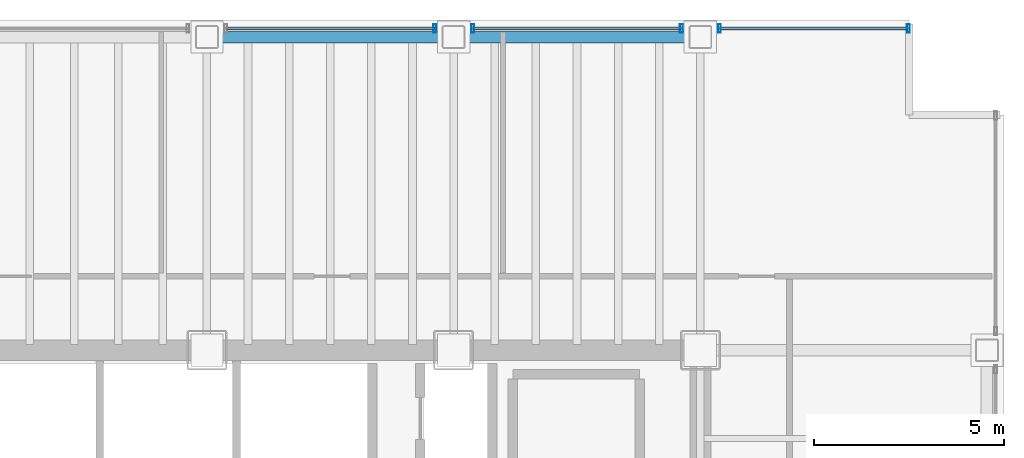
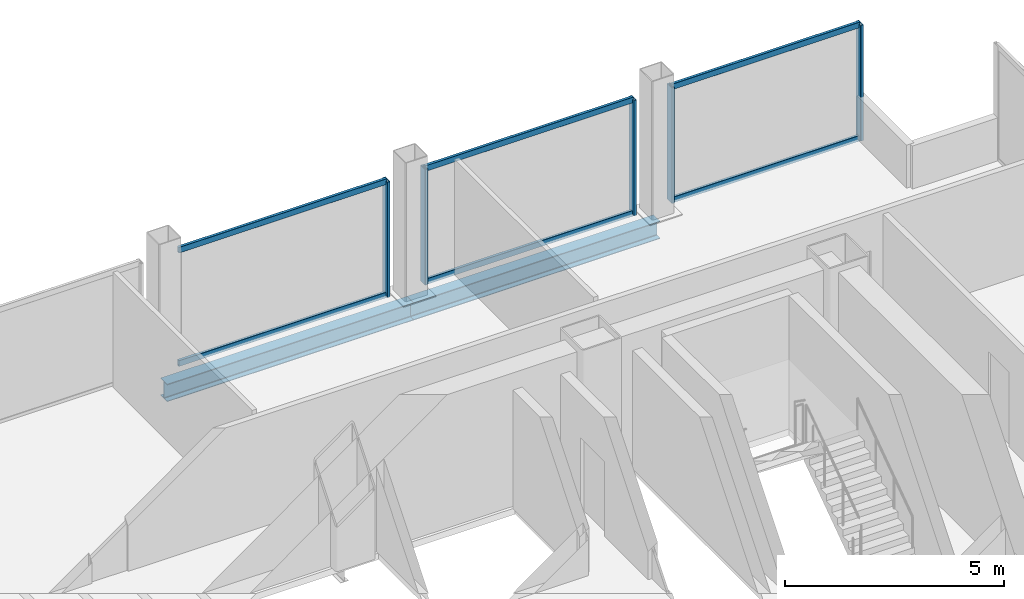
# One storey, part 16 of 21: 11 members, 2 beams, 3 elements without a shape of their own.
"""IFC4 building model written with IfcOpenShell, lengths in metres."""

import ifcopenshell
import ifcopenshell.guid

model = None  # the IFC model being written
_history = None  # IfcOwnerHistory: only IFC2X3 demands one
_inside = {}  # id of a spatial element -> (the spatial element, [elements in it])
_under = {}  # id of a project, library or spatial element -> (it, [spatial elements below it])
_declared = {}  # id of a project -> (the project, [libraries it declares])
_typed = {}  # id of a type object -> (the type object, [elements of that type])
_made_of = {}  # id of a material, layer set ... -> (it, [elements and type objects made of it])


def new_model(schema):
    """Start an empty IFC model of exactly this schema.

    Asked for "IFC4X3", IfcOpenShell would pick the latest addendum, in which some entities
    have other attributes; the version numbers below select the first issue.
    IFC2X3 requires an IfcOwnerHistory on every rooted entity: one is made here for all.
    """
    global model, _history
    if schema == "IFC4X3":
        model = ifcopenshell.file(schema_version=(4, 3, 0, 0))
    else:
        model = ifcopenshell.file(schema=schema)
    _inside.clear()
    _under.clear()
    _declared.clear()
    _typed.clear()
    _made_of.clear()
    _history = None
    if model.schema == "IFC2X3":
        org = make("IfcOrganization", Name="unknown")
        user = make(
            "IfcPersonAndOrganization",
            ThePerson=make("IfcPerson", FamilyName="unknown"),
            TheOrganization=org,
        )
        app = make(
            "IfcApplication",
            ApplicationDeveloper=org,
            Version="unknown",
            ApplicationFullName="unknown",
            ApplicationIdentifier="unknown",
        )
        _history = make(
            "IfcOwnerHistory",
            OwningUser=user,
            OwningApplication=app,
            ChangeAction="ADDED",
            CreationDate=0,
        )
    return model


def make(cls, **values):
    """One entity of the class cls with the attributes given. An attribute that is None is left unset."""
    return model.create_entity(
        cls, **{name: value for name, value in values.items() if value is not None}
    )


def rooted(cls, **values):
    """An entity with a GlobalId (a new one), such as an element, a storey or a relation."""
    return make(cls, GlobalId=ifcopenshell.guid.new(), OwnerHistory=_history, **values)


def si_unit(unit_type, name, prefix=None):
    """IfcSIUnit, for example si_unit("LENGTHUNIT", "METRE", prefix="MILLI")."""
    return make("IfcSIUnit", UnitType=unit_type, Prefix=prefix, Name=name)


def assignment(units):
    """IfcUnitAssignment: the units of a project."""
    return None if units is None else make("IfcUnitAssignment", Units=units)


def point(xyz):
    """IfcCartesianPoint."""
    return None if xyz is None else make("IfcCartesianPoint", Coordinates=xyz)


def direction(xyz):
    """IfcDirection."""
    return None if xyz is None else make("IfcDirection", DirectionRatios=xyz)


def frame(location, z_axis=None, x_axis=None):
    """IfcAxis2Placement3D, a coordinate frame: its origin and axes. An axis left out is left unset."""
    return make(
        "IfcAxis2Placement3D",
        Location=point(location),
        Axis=direction(z_axis),
        RefDirection=direction(x_axis),
    )


def frame_2d(location, x_axis=None):
    """IfcAxis2Placement2D, a coordinate frame in the plane: its origin and x axis."""
    return make(
        "IfcAxis2Placement2D", Location=point(location), RefDirection=direction(x_axis)
    )


def origin():
    """The frame at (0, 0, 0) with its axes left unset."""
    return frame((0.0, 0.0, 0.0))


def origin_2d():
    """The frame at (0, 0) in the plane with its x axis left unset."""
    return frame_2d((0.0, 0.0))


def place(relative_to, where):
    """IfcLocalPlacement: puts the frame where relative to a parent placement (None: the world)."""
    return make(
        "IfcLocalPlacement", PlacementRelTo=relative_to, RelativePlacement=where
    )


def context(
    kind, dimensions, precision=None, world=None, true_north=None, identifier=None
):
    """IfcGeometricRepresentationContext, for example the 3D "Model" context."""
    return make(
        "IfcGeometricRepresentationContext",
        ContextIdentifier=identifier,
        ContextType=kind,
        CoordinateSpaceDimension=dimensions,
        Precision=precision,
        WorldCoordinateSystem=world,
        TrueNorth=true_north,
    )


def subcontext(parent, identifier, kind, view, scale=None):
    """IfcGeometricRepresentationSubContext, for example "Body" below "Model"."""
    return make(
        "IfcGeometricRepresentationSubContext",
        ContextIdentifier=identifier,
        ContextType=kind,
        ParentContext=parent,
        TargetScale=scale,
        TargetView=view,
    )


def project(units=None, contexts=None):
    """IfcProject with its units and contexts."""
    return rooted(
        "IfcProject",
        Name="project",
        RepresentationContexts=contexts,
        UnitsInContext=assignment(units),
    )


def spatial(cls, under=None, at=None, **own):
    """A site, building, storey or space (cls), placed at a placement, below another one or the project."""
    s = rooted(cls, ObjectPlacement=at, **own)
    if under is not None:
        _under.setdefault(under.id(), (under, []))[1].append(s)
    return s


def profile(cls, at=None, kind="AREA", **sizes):
    """A parametric profile (cls). Its sizes go by their IFC names, for example OverallWidth=200.0."""
    return make(cls, ProfileType=kind, Position=at, **sizes)


def hollow_rectangle(**sizes):
    """IfcRectangleHollowProfileDef."""
    return profile("IfcRectangleHollowProfileDef", **sizes)


def i_section(**sizes):
    """IfcIShapeProfileDef."""
    return profile("IfcIShapeProfileDef", **sizes)


def extrude(swept, where, along, depth):
    """IfcExtrudedAreaSolid: the profile swept, set in the frame where, extruded along a direction by depth."""
    return make(
        "IfcExtrudedAreaSolid",
        SweptArea=swept,
        Position=where,
        ExtrudedDirection=direction(along),
        Depth=depth,
    )


def shape(context_of_items, identifier, shape_type, items):
    """IfcShapeRepresentation: the items that make up one representation, for example the "Body"."""
    return make(
        "IfcShapeRepresentation",
        ContextOfItems=context_of_items,
        RepresentationIdentifier=identifier,
        RepresentationType=shape_type,
        Items=items,
    )


def material(Name=None, Category=None):
    """IfcMaterial."""
    return make("IfcMaterial", Name=Name, Category=Category)


def material_profile(
    of_material, cross_section, Name=None, Category=None, Priority=None
):
    """IfcMaterialProfile: a cross section and its material."""
    return make(
        "IfcMaterialProfile",
        Name=Name,
        Material=of_material,
        Profile=cross_section,
        Priority=Priority,
        Category=Category,
    )


def profile_set(profiles, Name=None, composite=None):
    """IfcMaterialProfileSet."""
    return make(
        "IfcMaterialProfileSet",
        Name=Name,
        MaterialProfiles=profiles,
        CompositeProfile=composite,
    )


def made_of(thing, what):
    """Note that an element or type object is made of a material, layer set ...; save() writes the relation."""
    if what is not None:
        _made_of.setdefault(what.id(), (what, []))[1].append(thing)
    return thing


def type_object(cls, material=None, **own):
    """A type object (cls), such as IfcWallType, which elements share."""
    return made_of(rooted(cls, **own), material)


def element(
    cls,
    number,
    at=None,
    inside=None,
    cuts=None,
    type_object=None,
    material=None,
    context=None,
    identifier="Body",
    shape_type=None,
    held_by="IfcProductDefinitionShape",
    body=None,
    shapes=None,
    **own,
):
    """One element of the class cls, such as IfcWall. Its Tag is "e" and its number.

    at: its placement. inside: the storey or other place that contains it. cuts: it is an
    opening in that element (IfcRelVoidsElement). A single representation is given by context,
    identifier, shape_type and body (its items); several are given by shapes. held_by: the class
    of the entity that holds the representations. save() writes the other relations.
    """
    e = rooted(cls, Tag="e%d" % number, ObjectPlacement=at, **own)
    if body is not None:
        shapes = [shape(context, identifier, shape_type, body)]
    if shapes is not None:
        e.Representation = make(held_by, Representations=shapes)
    if inside is not None:
        _inside.setdefault(inside.id(), (inside, []))[1].append(e)
    if cuts is not None:
        rooted(
            "IfcRelVoidsElement", RelatingBuildingElement=cuts, RelatedOpeningElement=e
        )
    if type_object is not None:
        _typed.setdefault(type_object.id(), (type_object, []))[1].append(e)
    return made_of(e, material)


def aggregate(whole, parts):
    """IfcRelAggregates: a whole, such as a stair, and the parts it consists of."""
    return rooted("IfcRelAggregates", RelatingObject=whole, RelatedObjects=parts)


def save(model, path):
    """Write the relations noted so far, then the file.

    IfcRelAggregates (storeys below a building ...), IfcRelContainedInSpatialStructure (elements
    in a storey), IfcRelDefinesByType, IfcRelAssociatesMaterial and IfcRelDeclares: one each for
    every whole, place, type object, material and project.
    """
    for whole, parts in _under.values():
        aggregate(whole, parts)
    for where, things in _inside.values():
        rooted(
            "IfcRelContainedInSpatialStructure",
            RelatedElements=things,
            RelatingStructure=where,
        )
    for kind, things in _typed.values():
        rooted("IfcRelDefinesByType", RelatedObjects=things, RelatingType=kind)
    for what, things in _made_of.values():
        rooted("IfcRelAssociatesMaterial", RelatedObjects=things, RelatingMaterial=what)
    for by, libraries in _declared.values():
        rooted("IfcRelDeclares", RelatingContext=by, RelatedDefinitions=libraries)
    model.write(path)


model = new_model("IFC4")

# Units and contexts
model_context = context("Model", 3, precision=1e-05, world=origin(), true_north=direction((0.0, 1.0)))
body_context = subcontext(model_context, "Body", "Model", "MODEL_VIEW")
ifc_project = project(units=[si_unit("LENGTHUNIT", "METRE"), si_unit("AREAUNIT", "SQUARE_METRE"), si_unit("VOLUMEUNIT", "CUBIC_METRE"), si_unit("PLANEANGLEUNIT", "RADIAN"), si_unit("MASSUNIT", "GRAM", prefix="KILO")], contexts=[model_context])

# Site, building, storey
site_placement = place(None, origin())
site = spatial("IfcSite", under=ifc_project, at=site_placement, CompositionType="ELEMENT")
building_placement = place(site_placement, origin())
building = spatial("IfcBuilding", under=site, at=building_placement, Name="Noeulbin Bourse Tower", CompositionType="ELEMENT")
storey_placement = place(building_placement, frame((0.0, 0.0, 34.300048828125)))
storey = spatial("IfcBuildingStorey", under=building, at=storey_placement, Name="L08", CompositionType="ELEMENT", Elevation=34.300048828125)

# Beams
ifc_material_1 = material(Name="Steel S355", Category="steel")
ifc_material_profile_1 = material_profile(ifc_material_1, i_section(OverallWidth=0.300048828125, OverallDepth=0.488037109375, WebThickness=0.010986328125, FlangeThickness=0.01806640625, FilletRadius=0.02197265625, at=origin_2d()), Name="H-488x300x11x18", Category="LoadBearing")
ifc_profile_set_1 = profile_set([ifc_material_profile_1], Name="Steel S355")
beam_type = type_object("IfcBeamType", Name="BM-SPN-488", PredefinedType="SPANDREL", material=ifc_profile_set_1)
for number, where, z_axis, x_axis, name in (
    (1, (31.0, 46.550048828125, -0.424072265625), (1.0, 0.0, 0.0), (0.0, 1.0, 0.0), "North Spandrel L08-3"),
    (2, (37.5, 46.550048828125, -0.424072265625), (1.0, 0.0, 0.0), (0.0, 1.0, 0.0), "North Spandrel L08-4"),
):
    element("IfcBeam", number, at=place(storey_placement, frame(where, z_axis=z_axis, x_axis=x_axis)), inside=storey, type_object=beam_type, Name=name, PredefinedType="SPANDREL", context=body_context, shape_type="SweptSolid", body=[
        extrude(i_section(OverallWidth=0.300048828125, OverallDepth=0.488037109375, WebThickness=0.010986328125, FlangeThickness=0.01806640625, FilletRadius=0.02197265625, at=origin_2d()), origin(), (0.0, 0.0, 1.0), 6.5),
    ])

# Curtain wall, member
ifc_material_2 = material(Name="Dark Solar-Control Double Glazing", Category="glass")
curtain_wall_type = type_object("IfcCurtainWallType", Name="CW-SYS-2", PredefinedType="NOTDEFINED", material=ifc_material_2)
curtain_wall_1_placement = place(storey_placement, origin())
curtain_wall_1 = element("IfcCurtainWall", 3, at=curtain_wall_1_placement, inside=storey, type_object=curtain_wall_type, Name="Unitised Curtain Wall CW-L08-N-S4", PredefinedType="NOTDEFINED")
ifc_material_3 = material(Name="Anodised Aluminium 6063-T6", Category="aluminium")
ifc_material_profile_2 = material_profile(ifc_material_3, hollow_rectangle(XDim=0.074951171875, YDim=0.219970703125, WallThickness=0.0048828125, InnerFilletRadius=0.00244140625, OuterFilletRadius=0.0048828125, at=origin_2d()), Name="ALU-MULL-75x220x5", Category="LoadBearing")
ifc_profile_set_2 = profile_set([ifc_material_profile_2], Name="Anodised Aluminium 6063-T6")
member_type_1 = type_object("IfcMemberType", Name="CW-SYS-2-MUL", PredefinedType="MULLION", material=ifc_profile_set_2)
member_1_placement = place(storey_placement, frame((37.0, 46.780029296875, -0.02001953125), z_axis=(0.0, 0.0, 1.0), x_axis=(1.0, 0.0, 0.0)))
member_1 = element("IfcMember", 4, at=member_1_placement, type_object=member_type_1, Name="Curtain Wall Mullion CW-L08-N-S4-M01", PredefinedType="MULLION", context=body_context, shape_type="SweptSolid", body=[
    extrude(hollow_rectangle(XDim=0.074951171875, YDim=0.219970703125, WallThickness=0.0048828125, InnerFilletRadius=0.00244140625, OuterFilletRadius=0.0048828125, at=origin_2d()), origin(), (0.0, 0.0, 1.0), 3.219970703125),
])

# Curtain wall, members
curtain_wall_2_placement = place(storey_placement, origin())
curtain_wall_2 = element("IfcCurtainWall", 5, at=curtain_wall_2_placement, inside=storey, type_object=curtain_wall_type, Name="Unitised Curtain Wall CW-L08-N-S5", PredefinedType="NOTDEFINED")
member_2_placement = place(storey_placement, frame((38.0, 46.780029296875, -0.02001953125), z_axis=(0.0, 0.0, 1.0), x_axis=(1.0, 0.0, 0.0)))
member_2 = element("IfcMember", 6, at=member_2_placement, type_object=member_type_1, Name="Curtain Wall Mullion CW-L08-N-S5-M00", PredefinedType="MULLION", context=body_context, shape_type="SweptSolid", body=[
    extrude(hollow_rectangle(XDim=0.074951171875, YDim=0.219970703125, WallThickness=0.0048828125, InnerFilletRadius=0.00244140625, OuterFilletRadius=0.0048828125, at=origin_2d()), origin(), (0.0, 0.0, 1.0), 3.219970703125),
])
member_3_placement = place(storey_placement, frame((43.5, 46.780029296875, -0.02001953125), z_axis=(0.0, 0.0, 1.0), x_axis=(1.0, 0.0, 0.0)))
member_3 = element("IfcMember", 7, at=member_3_placement, type_object=member_type_1, Name="Curtain Wall Mullion CW-L08-N-S5-M01", PredefinedType="MULLION", context=body_context, shape_type="SweptSolid", body=[
    extrude(hollow_rectangle(XDim=0.074951171875, YDim=0.219970703125, WallThickness=0.0048828125, InnerFilletRadius=0.00244140625, OuterFilletRadius=0.0048828125, at=origin_2d()), origin(), (0.0, 0.0, 1.0), 3.219970703125),
])

curtain_wall_3_placement = place(storey_placement, origin())
curtain_wall_3 = element("IfcCurtainWall", 8, at=curtain_wall_3_placement, inside=storey, type_object=curtain_wall_type, Name="Unitised Curtain Wall CW-L08-N-S6", PredefinedType="NOTDEFINED")
member_4_placement = place(storey_placement, frame((44.5, 46.780029296875, -0.02001953125), z_axis=(0.0, 0.0, 1.0), x_axis=(1.0, 0.0, 0.0)))
member_4 = element("IfcMember", 9, at=member_4_placement, type_object=member_type_1, Name="Curtain Wall Mullion CW-L08-N-S6-M00", PredefinedType="MULLION", context=body_context, shape_type="SweptSolid", body=[
    extrude(hollow_rectangle(XDim=0.074951171875, YDim=0.219970703125, WallThickness=0.0048828125, InnerFilletRadius=0.00244140625, OuterFilletRadius=0.0048828125, at=origin_2d()), origin(), (0.0, 0.0, 1.0), 3.219970703125),
])
member_5_placement = place(storey_placement, frame((49.47998046875, 46.780029296875, -0.02001953125), z_axis=(0.0, 0.0, 1.0), x_axis=(1.0, 0.0, 0.0)))
member_5 = element("IfcMember", 10, at=member_5_placement, type_object=member_type_1, Name="Curtain Wall Mullion CW-L08-N-S6-M01", PredefinedType="MULLION", context=body_context, shape_type="SweptSolid", body=[
    extrude(hollow_rectangle(XDim=0.074951171875, YDim=0.219970703125, WallThickness=0.0048828125, InnerFilletRadius=0.00244140625, OuterFilletRadius=0.0048828125, at=origin_2d()), origin(), (0.0, 0.0, 1.0), 3.219970703125),
])

# Member
ifc_material_profile_3 = material_profile(ifc_material_3, hollow_rectangle(XDim=0.074951171875, YDim=0.159912109375, WallThickness=0.0048828125, InnerFilletRadius=0.00244140625, OuterFilletRadius=0.0048828125, at=origin_2d()), Name="ALU-TRAN-75x160x5", Category="LoadBearing")
ifc_profile_set_3 = profile_set([ifc_material_profile_3], Name="Anodised Aluminium 6063-T6")
member_type_2 = type_object("IfcMemberType", Name="CW-SYS-2-TRN", PredefinedType="USERDEFINED", material=ifc_profile_set_3)
member_6_placement = place(storey_placement, frame((31.510009765625, 46.780029296875, 0.010009765625), z_axis=(1.0, 0.0, 0.0), x_axis=(0.0, 1.0, 0.0)))
member_6 = element("IfcMember", 11, at=member_6_placement, type_object=member_type_2, Name="Curtain Wall Transom CW-L08-N-S4-T00", ObjectType="TRANSOM", PredefinedType="USERDEFINED", context=body_context, shape_type="SweptSolid", body=[
    extrude(hollow_rectangle(XDim=0.074951171875, YDim=0.159912109375, WallThickness=0.0048828125, InnerFilletRadius=0.00244140625, OuterFilletRadius=0.0048828125, at=origin_2d()), origin(), (0.0, 0.0, 1.0), 5.47998046875),
])

member_7_placement = place(storey_placement, frame((31.510009765625, 46.780029296875, 3.169921875), z_axis=(1.0, 0.0, 0.0), x_axis=(0.0, 1.0, 0.0)))
member_7 = element("IfcMember", 12, at=member_7_placement, type_object=member_type_2, Name="Curtain Wall Transom CW-L08-N-S4-T01", ObjectType="TRANSOM", PredefinedType="USERDEFINED", context=body_context, shape_type="SweptSolid", body=[
    extrude(hollow_rectangle(XDim=0.074951171875, YDim=0.159912109375, WallThickness=0.0048828125, InnerFilletRadius=0.00244140625, OuterFilletRadius=0.0048828125, at=origin_2d()), origin(), (0.0, 0.0, 1.0), 5.47998046875),
])

aggregate(curtain_wall_1, [member_1, member_6, member_7])

member_8_placement = place(storey_placement, frame((38.010009765625, 46.780029296875, 0.010009765625), z_axis=(1.0, 0.0, 0.0), x_axis=(0.0, 1.0, 0.0)))
member_8 = element("IfcMember", 13, at=member_8_placement, type_object=member_type_2, Name="Curtain Wall Transom CW-L08-N-S5-T00", ObjectType="TRANSOM", PredefinedType="USERDEFINED", context=body_context, shape_type="SweptSolid", body=[
    extrude(hollow_rectangle(XDim=0.074951171875, YDim=0.159912109375, WallThickness=0.0048828125, InnerFilletRadius=0.00244140625, OuterFilletRadius=0.0048828125, at=origin_2d()), origin(), (0.0, 0.0, 1.0), 5.47998046875),
])

member_9_placement = place(storey_placement, frame((38.010009765625, 46.780029296875, 3.169921875), z_axis=(1.0, 0.0, 0.0), x_axis=(0.0, 1.0, 0.0)))
member_9 = element("IfcMember", 14, at=member_9_placement, type_object=member_type_2, Name="Curtain Wall Transom CW-L08-N-S5-T01", ObjectType="TRANSOM", PredefinedType="USERDEFINED", context=body_context, shape_type="SweptSolid", body=[
    extrude(hollow_rectangle(XDim=0.074951171875, YDim=0.159912109375, WallThickness=0.0048828125, InnerFilletRadius=0.00244140625, OuterFilletRadius=0.0048828125, at=origin_2d()), origin(), (0.0, 0.0, 1.0), 5.47998046875),
])

aggregate(curtain_wall_2, [member_2, member_3, member_8, member_9])

member_10_placement = place(storey_placement, frame((44.510009765625, 46.780029296875, 0.010009765625), z_axis=(1.0, 0.0, 0.0), x_axis=(0.0, 1.0, 0.0)))
member_10 = element("IfcMember", 15, at=member_10_placement, type_object=member_type_2, Name="Curtain Wall Transom CW-L08-N-S6-T00", ObjectType="TRANSOM", PredefinedType="USERDEFINED", context=body_context, shape_type="SweptSolid", body=[
    extrude(hollow_rectangle(XDim=0.074951171875, YDim=0.159912109375, WallThickness=0.0048828125, InnerFilletRadius=0.00244140625, OuterFilletRadius=0.0048828125, at=origin_2d()), origin(), (0.0, 0.0, 1.0), 4.9599609375),
])

member_11_placement = place(storey_placement, frame((44.510009765625, 46.780029296875, 3.169921875), z_axis=(1.0, 0.0, 0.0), x_axis=(0.0, 1.0, 0.0)))
member_11 = element("IfcMember", 16, at=member_11_placement, type_object=member_type_2, Name="Curtain Wall Transom CW-L08-N-S6-T01", ObjectType="TRANSOM", PredefinedType="USERDEFINED", context=body_context, shape_type="SweptSolid", body=[
    extrude(hollow_rectangle(XDim=0.074951171875, YDim=0.159912109375, WallThickness=0.0048828125, InnerFilletRadius=0.00244140625, OuterFilletRadius=0.0048828125, at=origin_2d()), origin(), (0.0, 0.0, 1.0), 4.9599609375),
])

aggregate(curtain_wall_3, [member_4, member_5, member_10, member_11])

save(model, "model.ifc")
